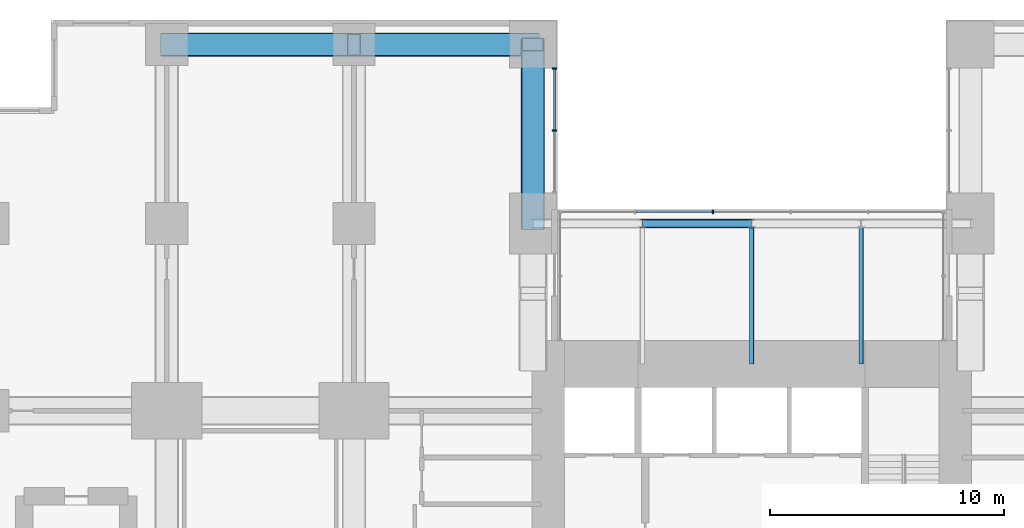
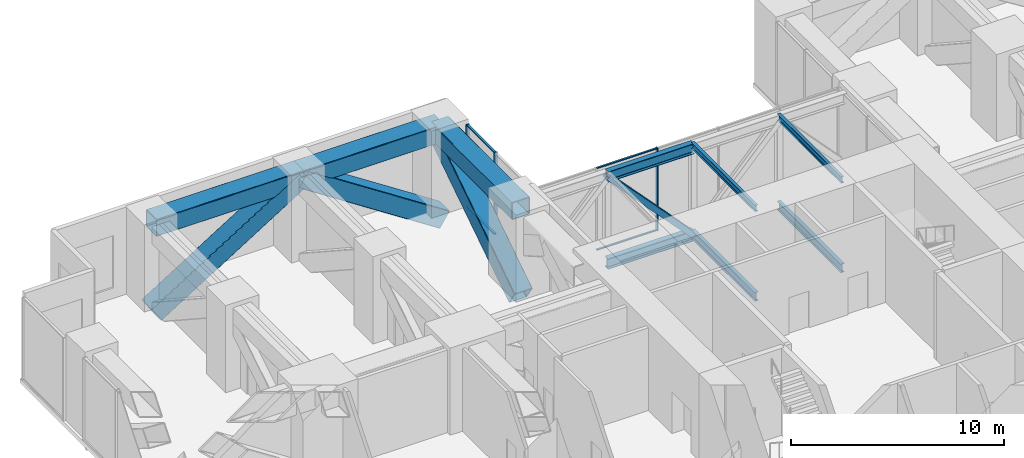
# One storey, part 8 of 19: 14 members, 6 beams, 2 elements without a shape of their own.
"""IFC4 building model written with IfcOpenShell, lengths in metres."""

from ifc_helpers import new_model, si_unit, direction, frame, origin, origin_2d, place, context, subcontext, project, spatial, rectangle, hollow_rectangle, i_section, extrude, material, layer, layer_set, material_profile, profile_set, type_object, element, aggregate, save


model = new_model("IFC4")

# Units and contexts
model_context = context("Model", 3, precision=1e-05, world=origin(), true_north=direction((0.0, 1.0)))
body_context = subcontext(model_context, "Body", "Model", "MODEL_VIEW")
ifc_project = project(units=[si_unit("LENGTHUNIT", "METRE"), si_unit("AREAUNIT", "SQUARE_METRE"), si_unit("VOLUMEUNIT", "CUBIC_METRE"), si_unit("PLANEANGLEUNIT", "RADIAN"), si_unit("MASSUNIT", "GRAM", prefix="KILO")], contexts=[model_context])

# Site, building, storey
site_placement = place(None, origin())
site = spatial("IfcSite", under=ifc_project, at=site_placement, CompositionType="ELEMENT")
building_placement = place(site_placement, origin())
building = spatial("IfcBuilding", under=site, at=building_placement, Name="Cleftline Residences", CompositionType="ELEMENT")
storey_placement = place(building_placement, frame((0.0, 0.0, 177.199951171875)))
storey = spatial("IfcBuildingStorey", under=building, at=storey_placement, Name="L46", CompositionType="ELEMENT", Elevation=177.199951171875)

# Beams
ifc_material_1 = material(Name="Steel S355", Category="steel")
ifc_material_profile_1 = material_profile(ifc_material_1, i_section(OverallWidth=0.169921875, OverallDepth=0.360107421875, WebThickness=0.008056640625, FlangeThickness=0.0126953125, FilletRadius=0.01806640625, at=origin_2d()))
ifc_profile_set_1 = profile_set([ifc_material_profile_1], Name="Steel S355")
beam_type_1 = type_object("IfcBeamType", Name="BEAM IPE 360", PredefinedType="BEAM", material=ifc_profile_set_1)
for number, where, z_axis, x_axis, name in (
    (1, (33.0, 40.0, 4.6201171875), (0.0, -1.0, 0.0), (1.0, 0.0, 0.0), "Bridge roof beam"),
    (2, (37.675048828125, 40.0, 4.6201171875), (0.0, -1.0, 0.0), (1.0, 0.0, 0.0), "Bridge roof beam"),
):
    element("IfcBeam", number, at=place(storey_placement, frame(where, z_axis=z_axis, x_axis=x_axis)), inside=storey, type_object=beam_type_1, Name=name, PredefinedType="BEAM", context=body_context, shape_type="SweptSolid", body=[
        extrude(i_section(OverallWidth=0.169921875, OverallDepth=0.360107421875, WebThickness=0.008056640625, FlangeThickness=0.0126953125, FilletRadius=0.01806640625, at=origin_2d()), origin(), (0.0, 0.0, 1.0), 6.0),
    ])
ifc_material_2 = material(Name="Steel S355", Category="steel")
ifc_material_profile_2 = material_profile(ifc_material_2, i_section(OverallWidth=0.199951171875, OverallDepth=0.5, WebThickness=0.01025390625, FlangeThickness=0.01611328125, FilletRadius=0.02099609375, at=origin_2d()))
ifc_profile_set_2 = profile_set([ifc_material_profile_2], Name="Steel S355")
beam_type_2 = type_object("IfcBeamType", Name="BEAM IPE 500", PredefinedType="BEAM", material=ifc_profile_set_2)
for number, where, z_axis, x_axis, name in (
    (3, (33.0, 40.0, -0.449951171875), (0.0, -1.0, 0.0), (1.0, 0.0, 0.0), "Bridge floor beam"),
    (4, (37.675048828125, 40.0, -0.449951171875), (0.0, -1.0, 0.0), (1.0, 0.0, 0.0), "Bridge floor beam"),
):
    element("IfcBeam", number, at=place(storey_placement, frame(where, z_axis=z_axis, x_axis=x_axis)), inside=storey, type_object=beam_type_2, Name=name, PredefinedType="BEAM", context=body_context, shape_type="SweptSolid", body=[
        extrude(i_section(OverallWidth=0.199951171875, OverallDepth=0.5, WebThickness=0.01025390625, FlangeThickness=0.01611328125, FilletRadius=0.02099609375, at=origin_2d()), origin(), (0.0, 0.0, 1.0), 6.0),
    ])

# Members
ifc_material_3 = material(Name="Steel S355", Category="steel")
ifc_material_profile_3 = material_profile(ifc_material_3, hollow_rectangle(XDim=1.0, YDim=1.0, WallThickness=0.0400390625, InnerFilletRadius=0.0400390625, OuterFilletRadius=0.06005859375, at=origin_2d()))
ifc_profile_set_3 = profile_set([ifc_material_profile_3], Name="Steel S355")
member_type_1 = type_object("IfcMemberType", Name="BRACE BOX 1000X1000X40", PredefinedType="BRACE", material=ifc_profile_set_3)
member_1_placement = place(storey_placement, frame((23.64990234375, 40.0, -0.75), z_axis=(0.0, 0.837062783189, 0.547106842399), x_axis=(0.0, -0.547106842399, 0.837062783189)))
element("IfcMember", 5, at=member_1_placement, inside=storey, type_object=member_type_1, Name="Belt truss diagonal", PredefinedType="BRACE", context=body_context, shape_type="SweptSolid", body=[
    extrude(hollow_rectangle(XDim=1.0, YDim=1.0, WallThickness=0.0400390625, InnerFilletRadius=0.0400390625, OuterFilletRadius=0.06005859375, at=origin_2d()), origin(), (0.0, 0.0, 1.0), 9.138916015625),
])
member_2_placement = place(storey_placement, frame((8.0, 47.64990234375, -0.75), z_axis=(0.847998304005, 0.0, 0.529998940003), x_axis=(-0.529998940003, 0.0, 0.847998304005)))
element("IfcMember", 6, at=member_2_placement, inside=storey, type_object=member_type_1, Name="Belt truss diagonal", PredefinedType="BRACE", context=body_context, shape_type="SweptSolid", body=[
    extrude(hollow_rectangle(XDim=1.0, YDim=1.0, WallThickness=0.0400390625, InnerFilletRadius=0.0400390625, OuterFilletRadius=0.06005859375, at=origin_2d()), origin(), (0.0, 0.0, 1.0), 9.43408203125),
])
member_3_placement = place(storey_placement, frame((16.0, 47.64990234375, 4.25), z_axis=(0.837062783189, 0.0, -0.547106842399), x_axis=(0.547106842399, 0.0, 0.837062783189)))
element("IfcMember", 7, at=member_3_placement, inside=storey, type_object=member_type_1, Name="Belt truss diagonal", PredefinedType="BRACE", context=body_context, shape_type="SweptSolid", body=[
    extrude(hollow_rectangle(XDim=1.0, YDim=1.0, WallThickness=0.0400390625, InnerFilletRadius=0.0400390625, OuterFilletRadius=0.06005859375, at=origin_2d()), origin(), (0.0, 0.0, 1.0), 9.138916015625),
])
ifc_material_4 = material(Name="Steel S355", Category="steel")
ifc_material_profile_4 = material_profile(ifc_material_4, i_section(OverallWidth=0.300048828125, OverallDepth=0.39990234375, WebThickness=0.013427734375, FlangeThickness=0.02392578125, FilletRadius=0.027099609375, at=origin_2d()))
ifc_profile_set_4 = profile_set([ifc_material_profile_4], Name="Steel S355")
member_type_2 = type_object("IfcMemberType", Name="BRACE HEB 400", PredefinedType="BRACE", material=ifc_profile_set_4)
member_4_placement = place(storey_placement, frame((28.324951171875, 40.0, 4.5), z_axis=(0.682972422419, 0.0, -0.730444159546), x_axis=(0.730444159546, 0.0, 0.682972422419)))
element("IfcMember", 8, at=member_4_placement, inside=storey, type_object=member_type_2, Name="Sky bridge truss diagonal", PredefinedType="BRACE", context=body_context, shape_type="SweptSolid", body=[
    extrude(i_section(OverallWidth=0.300048828125, OverallDepth=0.39990234375, WebThickness=0.013427734375, FlangeThickness=0.02392578125, FilletRadius=0.027099609375, at=origin_2d()), origin(), (0.0, 0.0, 1.0), 6.84521484375),
])

# Beams
ifc_material_5 = material(Name="Steel S355", Category="steel")
ifc_material_profile_5 = material_profile(ifc_material_5, i_section(OverallWidth=0.300048828125, OverallDepth=0.60009765625, WebThickness=0.015380859375, FlangeThickness=0.030029296875, FilletRadius=0.027099609375, at=origin_2d()))
ifc_profile_set_5 = profile_set([ifc_material_profile_5], Name="Steel S355")
beam_type_3 = type_object("IfcBeamType", Name="BRIDGE CHORD HEB 600", PredefinedType="BEAM", material=ifc_profile_set_5)
for number, where, z_axis, x_axis, name in (
    (9, (28.324951171875, 40.0, -0.5), (1.0, 0.0, 0.0), (0.0, 1.0, 0.0), "Sky bridge truss bottom chord"),
    (10, (28.324951171875, 40.0, 4.5), (1.0, 0.0, 0.0), (0.0, 1.0, 0.0), "Sky bridge truss top chord"),
):
    element("IfcBeam", number, at=place(storey_placement, frame(where, z_axis=z_axis, x_axis=x_axis)), inside=storey, type_object=beam_type_3, Name=name, PredefinedType="BEAM", context=body_context, shape_type="SweptSolid", body=[
        extrude(i_section(OverallWidth=0.300048828125, OverallDepth=0.60009765625, WebThickness=0.015380859375, FlangeThickness=0.030029296875, FilletRadius=0.027099609375, at=origin_2d()), origin(), (0.0, 0.0, 1.0), 4.675048828125),
    ])

# Members
ifc_material_6 = material(Name="Steel S355", Category="steel")
ifc_material_profile_6 = material_profile(ifc_material_6, hollow_rectangle(XDim=1.0, YDim=1.0, WallThickness=0.0400390625, InnerFilletRadius=0.0400390625, OuterFilletRadius=0.06005859375, at=origin_2d()))
ifc_profile_set_6 = profile_set([ifc_material_profile_6], Name="Steel S355")
member_type_3 = type_object("IfcMemberType", Name="CHORD BOX 1000X1000X40", PredefinedType="CHORD", material=ifc_profile_set_6)
member_5_placement = place(storey_placement, frame((23.64990234375, 40.0, 4.25), z_axis=(0.0, 1.0, 0.0), x_axis=(-1.0, 0.0, 0.0)))
element("IfcMember", 11, at=member_5_placement, inside=storey, type_object=member_type_3, Name="Belt truss top chord", PredefinedType="CHORD", context=body_context, shape_type="SweptSolid", body=[
    extrude(hollow_rectangle(XDim=1.0, YDim=1.0, WallThickness=0.0400390625, InnerFilletRadius=0.0400390625, OuterFilletRadius=0.06005859375, at=origin_2d()), origin(), (0.0, 0.0, 1.0), 7.64990234375),
])
member_6_placement = place(storey_placement, frame((8.0, 47.64990234375, 4.25), z_axis=(1.0, 0.0, 0.0), x_axis=(0.0, 1.0, 0.0)))
element("IfcMember", 12, at=member_6_placement, inside=storey, type_object=member_type_3, Name="Belt truss top chord", PredefinedType="CHORD", context=body_context, shape_type="SweptSolid", body=[
    extrude(hollow_rectangle(XDim=1.0, YDim=1.0, WallThickness=0.0400390625, InnerFilletRadius=0.0400390625, OuterFilletRadius=0.06005859375, at=origin_2d()), origin(), (0.0, 0.0, 1.0), 8.0),
])
member_7_placement = place(storey_placement, frame((16.0, 47.64990234375, 4.25), z_axis=(1.0, 0.0, 0.0), x_axis=(0.0, 1.0, 0.0)))
element("IfcMember", 13, at=member_7_placement, inside=storey, type_object=member_type_3, Name="Belt truss top chord", PredefinedType="CHORD", context=body_context, shape_type="SweptSolid", body=[
    extrude(hollow_rectangle(XDim=1.0, YDim=1.0, WallThickness=0.0400390625, InnerFilletRadius=0.0400390625, OuterFilletRadius=0.06005859375, at=origin_2d()), origin(), (0.0, 0.0, 1.0), 7.64990234375),
])

# Curtain wall, members
ifc_material_7 = material(Name="Aluminium framed curtain wall", Category="aluminium")
ifc_layer_1 = layer(ifc_material_7, 0.199951171875)
ifc_layer_set_1 = layer_set([ifc_layer_1], Name="CW1 CLEFT GLAZING")
curtain_wall_type_1 = type_object("IfcCurtainWallType", Name="CW1 CLEFT GLAZING", PredefinedType="NOTDEFINED", material=ifc_layer_set_1)
curtain_wall_1_placement = place(storey_placement, origin())
curtain_wall_1 = element("IfcCurtainWall", 14, at=curtain_wall_1_placement, inside=storey, type_object=curtain_wall_type_1, Name="Curtain wall CW1", PredefinedType="NOTDEFINED")
ifc_material_8 = material(Name="Aluminium mullion", Category="aluminium")
ifc_material_profile_7 = material_profile(ifc_material_8, rectangle(XDim=0.199951171875, YDim=0.06005859375, at=origin_2d()))
ifc_profile_set_7 = profile_set([ifc_material_profile_7], Name="Aluminium mullion")
member_type_4 = type_object("IfcMemberType", Name="CW1 MULLION", PredefinedType="MULLION", material=ifc_profile_set_7)
member_8_placement = place(storey_placement, frame((24.574951171875, 43.97509765625, 0.0), z_axis=(0.0, 0.0, 1.0), x_axis=(-1.0, 0.0, 0.0)))
member_8 = element("IfcMember", 15, at=member_8_placement, type_object=member_type_4, Name="CW1 mullion 2", PredefinedType="MULLION", context=body_context, shape_type="SweptSolid", body=[
    extrude(rectangle(XDim=0.199951171875, YDim=0.06005859375, at=origin_2d()), origin(), (0.0, 0.0, 1.0), 4.75),
])
member_9_placement = place(storey_placement, frame((24.574951171875, 46.6201171875, 0.0), z_axis=(0.0, 0.0, 1.0), x_axis=(-1.0, 0.0, 0.0)))
member_9 = element("IfcMember", 16, at=member_9_placement, type_object=member_type_4, Name="CW1 mullion 3", PredefinedType="MULLION", context=body_context, shape_type="SweptSolid", body=[
    extrude(rectangle(XDim=0.199951171875, YDim=0.06005859375, at=origin_2d()), origin(), (0.0, 0.0, 1.0), 4.75),
])
ifc_material_9 = material(Name="Aluminium transom", Category="aluminium")
ifc_material_profile_8 = material_profile(ifc_material_9, rectangle(XDim=0.1201171875, YDim=0.06005859375, at=origin_2d()))
ifc_profile_set_8 = profile_set([ifc_material_profile_8], Name="Aluminium transom")
member_type_5 = type_object("IfcMemberType", Name="CW1 TRANSOM", PredefinedType="USERDEFINED", material=ifc_profile_set_8)
member_10_placement = place(storey_placement, frame((24.574951171875, 44.0048828125, 0.030029296875), z_axis=(0.0, 1.0, 0.0), x_axis=(-1.0, 0.0, 0.0)))
member_10 = element("IfcMember", 17, at=member_10_placement, type_object=member_type_5, Name="CW1 transom 2.1", ObjectType="TRANSOM", PredefinedType="USERDEFINED", context=body_context, shape_type="SweptSolid", body=[
    extrude(rectangle(XDim=0.1201171875, YDim=0.06005859375, at=origin_2d()), origin(), (0.0, 0.0, 1.0), 2.585205078125),
])
member_11_placement = place(storey_placement, frame((24.574951171875, 44.0048828125, 4.719970703125), z_axis=(0.0, 1.0, 0.0), x_axis=(-1.0, 0.0, 0.0)))
member_11 = element("IfcMember", 18, at=member_11_placement, type_object=member_type_5, Name="CW1 transom 2.2", ObjectType="TRANSOM", PredefinedType="USERDEFINED", context=body_context, shape_type="SweptSolid", body=[
    extrude(rectangle(XDim=0.1201171875, YDim=0.06005859375, at=origin_2d()), origin(), (0.0, 0.0, 1.0), 2.585205078125),
])
aggregate(curtain_wall_1, [member_8, member_9, member_10, member_11])

ifc_material_10 = material(Name="Aluminium framed curtain wall", Category="aluminium")
ifc_layer_2 = layer(ifc_material_10, 0.199951171875)
ifc_layer_set_2 = layer_set([ifc_layer_2], Name="CW3 BRIDGE GLAZING")
curtain_wall_type_2 = type_object("IfcCurtainWallType", Name="CW3 BRIDGE GLAZING", PredefinedType="NOTDEFINED", material=ifc_layer_set_2)
curtain_wall_2_placement = place(storey_placement, origin())
curtain_wall_2 = element("IfcCurtainWall", 19, at=curtain_wall_2_placement, inside=storey, type_object=curtain_wall_type_2, Name="Curtain wall CW3", PredefinedType="NOTDEFINED")
ifc_material_11 = material(Name="Aluminium mullion", Category="aluminium")
ifc_material_profile_9 = material_profile(ifc_material_11, rectangle(XDim=0.159912109375, YDim=0.06005859375, at=origin_2d()))
ifc_profile_set_9 = profile_set([ifc_material_profile_9], Name="Aluminium mullion")
member_type_6 = type_object("IfcMemberType", Name="CW3 MULLION", PredefinedType="MULLION", material=ifc_profile_set_9)
member_12_placement = place(storey_placement, frame((31.340087890625, 40.5, 0.0), z_axis=(0.0, 0.0, 1.0), x_axis=(0.0, -1.0, 0.0)))
member_12 = element("IfcMember", 20, at=member_12_placement, type_object=member_type_6, Name="CW3 mullion 4", PredefinedType="MULLION", context=body_context, shape_type="SweptSolid", body=[
    extrude(rectangle(XDim=0.159912109375, YDim=0.06005859375, at=origin_2d()), origin(), (0.0, 0.0, 1.0), 4.75),
])
ifc_material_12 = material(Name="Aluminium transom", Category="aluminium")
ifc_material_profile_10 = material_profile(ifc_material_12, rectangle(XDim=0.095947265625, YDim=0.06005859375, at=origin_2d()))
ifc_profile_set_10 = profile_set([ifc_material_profile_10], Name="Aluminium transom")
member_type_7 = type_object("IfcMemberType", Name="CW3 TRANSOM", PredefinedType="USERDEFINED", material=ifc_profile_set_10)
member_13_placement = place(storey_placement, frame((31.31005859375, 40.5, 0.030029296875), z_axis=(-1.0, 0.0, 0.0), x_axis=(0.0, -1.0, 0.0)))
member_13 = element("IfcMember", 21, at=member_13_placement, type_object=member_type_7, Name="CW3 transom 4.1", ObjectType="TRANSOM", PredefinedType="USERDEFINED", context=body_context, shape_type="SweptSolid", body=[
    extrude(rectangle(XDim=0.095947265625, YDim=0.06005859375, at=origin_2d()), origin(), (0.0, 0.0, 1.0), 3.260009765625),
])
member_14_placement = place(storey_placement, frame((31.31005859375, 40.5, 4.719970703125), z_axis=(-1.0, 0.0, 0.0), x_axis=(0.0, -1.0, 0.0)))
member_14 = element("IfcMember", 22, at=member_14_placement, type_object=member_type_7, Name="CW3 transom 4.2", ObjectType="TRANSOM", PredefinedType="USERDEFINED", context=body_context, shape_type="SweptSolid", body=[
    extrude(rectangle(XDim=0.095947265625, YDim=0.06005859375, at=origin_2d()), origin(), (0.0, 0.0, 1.0), 3.260009765625),
])
aggregate(curtain_wall_2, [member_12, member_13, member_14])

save(model, "model.ifc")
